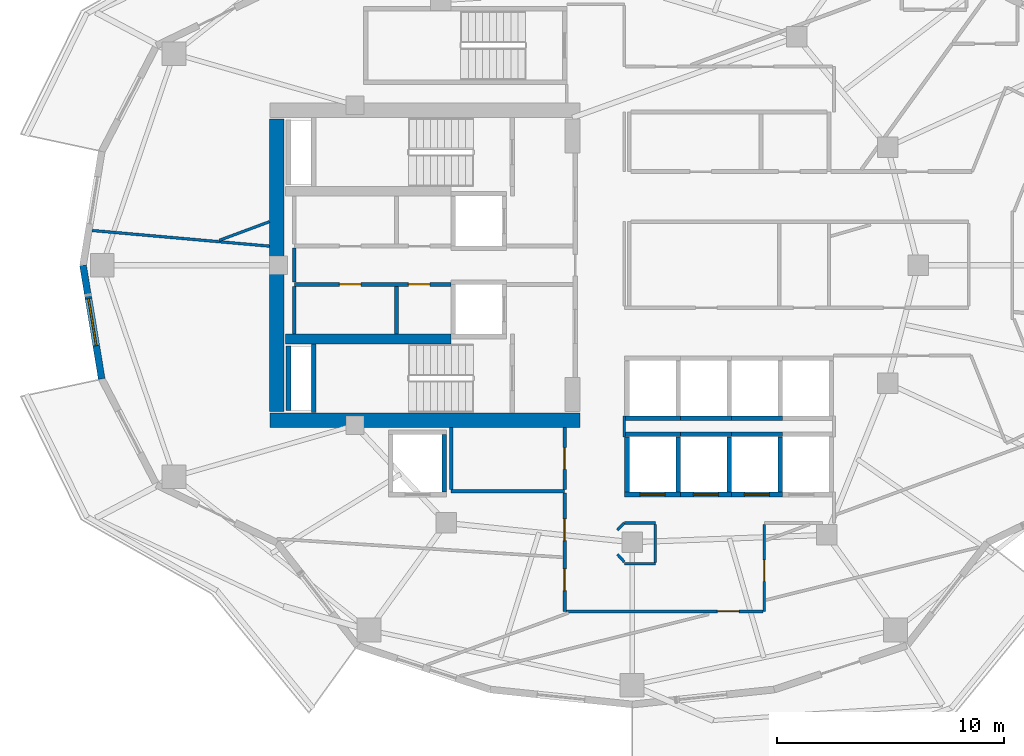
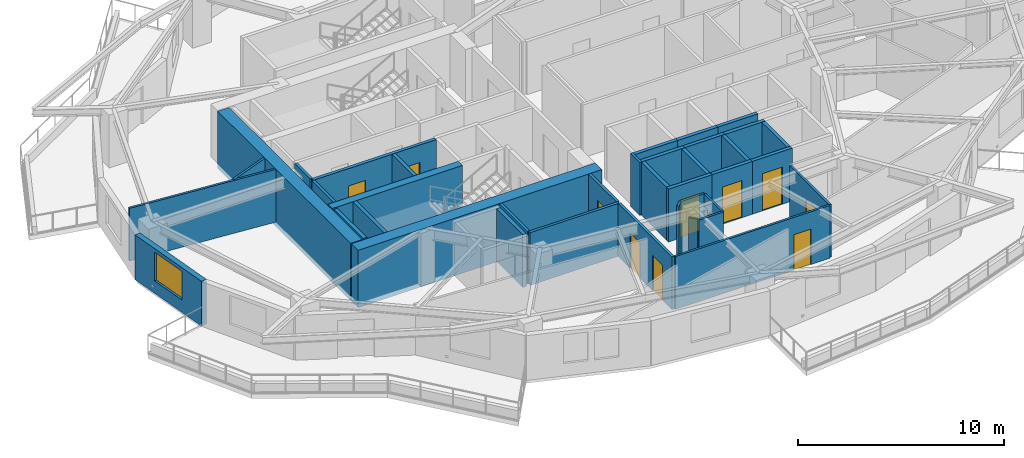
# One storey, part 3 of 14: 38 walls, 10 doors, 1 window, 11 openings.
"""IFC4 building model written with IfcOpenShell, lengths in metres."""

from ifc_helpers import new_model, si_unit, direction, frame, frame_2d, origin, place, context, subcontext, project, spatial, rectangle, extrude, material, layer, layer_set, type_object, element, fill, save


model = new_model("IFC4")

# Units and contexts
model_context = context("Model", 3, precision=1e-05, world=origin(), true_north=direction((0.0, 1.0)))
body_context = subcontext(model_context, "Body", "Model", "MODEL_VIEW")
ifc_project = project(units=[si_unit("LENGTHUNIT", "METRE"), si_unit("AREAUNIT", "SQUARE_METRE"), si_unit("VOLUMEUNIT", "CUBIC_METRE"), si_unit("PLANEANGLEUNIT", "RADIAN"), si_unit("MASSUNIT", "GRAM", prefix="KILO")], contexts=[model_context])

# Site, building, storey
site_placement = place(None, origin())
site = spatial("IfcSite", under=ifc_project, at=site_placement, CompositionType="ELEMENT")
building_placement = place(site_placement, origin())
building = spatial("IfcBuilding", under=site, at=building_placement, Name="Kolvaren Gate Tower and Convention Centre", CompositionType="ELEMENT")
storey_placement = place(building_placement, frame((0.0, 0.0, 132.5)))
storey = spatial("IfcBuildingStorey", under=building, at=storey_placement, Name="L33", CompositionType="ELEMENT", Elevation=132.5)

# Wall, openings, doors
ifc_material_1 = material(Name="Autoclaved Aerated Masonry Blockwork Class 4 (4.0 MPa)", Category="masonry")
ifc_layer_1 = layer(ifc_material_1, 0.179931640625)
ifc_layer_set_1 = layer_set([ifc_layer_1], Name="Autoclaved Aerated Masonry Blockwork Class 4 (4.0 MPa)")
wall_type_1 = type_object("IfcWallType", Name="ARCH-WL-COMP-180", PredefinedType="SOLIDWALL", material=ifc_layer_set_1)
wall_1_placement = place(storey_placement, frame((15.25, 26.159912109375, 0.0), z_axis=(0.0, 0.0, 1.0), x_axis=(1.0, 0.0, 0.0)))
wall_1 = element("IfcWall", 1, at=wall_1_placement, inside=storey, type_object=wall_type_1, Name="Interior Partition WL-L33-INT-005", PredefinedType="SOLIDWALL", context=body_context, shape_type="SweptSolid", body=[
    extrude(rectangle(XDim=6.89990234375, YDim=0.179931640625, at=frame_2d((3.449951171875, 0.0))), origin(), (0.0, 0.0, 1.0), 3.1298828125),
])
opening_1_placement = place(wall_1_placement, frame((5.02001953125, 0.0, 0.0)))
opening_1 = element("IfcOpeningElement", 2, at=opening_1_placement, cuts=wall_1, Name="Opening DR-01", PredefinedType="OPENING", context=body_context, shape_type="SweptSolid", body=[
    extrude(rectangle(XDim=0.949951171875, YDim=2.10009765625, at=frame_2d((0.47509765625, 1.050048828125))), frame((0.0, 0.099853515625, 0.0), z_axis=(0.0, -1.0, 0.0), x_axis=(1.0, 0.0, 0.0)), (0.0, 0.0, 1.0), 0.199951171875),
])
opening_2_placement = place(wall_1_placement, frame((1.97998046875, 0.0, 0.0)))
opening_2 = element("IfcOpeningElement", 3, at=opening_2_placement, cuts=wall_1, Name="Opening DR-01", PredefinedType="OPENING", context=body_context, shape_type="SweptSolid", body=[
    extrude(rectangle(XDim=0.949951171875, YDim=2.10009765625, at=frame_2d((0.47509765625, 1.050048828125))), frame((0.0, 0.099853515625, 0.0), z_axis=(0.0, -1.0, 0.0), x_axis=(1.0, 0.0, 0.0)), (0.0, 0.0, 1.0), 0.199951171875),
])
ifc_material_2 = material(Name="Painted Architectural Steelwork ASTM A500 Grade C 345 MPa", Category="steel")
door_type_1 = type_object("IfcDoorType", Name="ARCH-DR-RISER-950", OperationType="SINGLE_SWING_RIGHT", PredefinedType="DOOR", material=ifc_material_2)
door_1_placement = place(opening_1_placement, origin())
door_1 = element("IfcDoor", 4, at=door_1_placement, inside=storey, type_object=door_type_1, Name="Domestic Water Meter Closet Door", OperationType="SINGLE_SWING_LEFT", OverallHeight=2.10009765625, OverallWidth=0.949951171875, PredefinedType="DOOR", context=body_context, shape_type="SweptSolid", body=[
    extrude(rectangle(XDim=0.949951171875, YDim=2.10009765625, at=frame_2d((0.47509765625, 1.050048828125))), frame((0.0, 0.02490234375, 0.0), z_axis=(0.0, -1.0, 0.0), x_axis=(1.0, 0.0, 0.0)), (0.0, 0.0, 1.0), 0.050048828125),
])
fill(opening_1, door_1)
door_2_placement = place(opening_2_placement, origin())
door_2 = element("IfcDoor", 5, at=door_2_placement, inside=storey, type_object=door_type_1, Name="Janitor Equipment Store Door", OperationType="SINGLE_SWING_LEFT", OverallHeight=2.10009765625, OverallWidth=0.949951171875, PredefinedType="DOOR", context=body_context, shape_type="SweptSolid", body=[
    extrude(rectangle(XDim=0.949951171875, YDim=2.10009765625, at=frame_2d((0.47509765625, 1.050048828125))), frame((0.0, 0.02490234375, 0.0), z_axis=(0.0, -1.0, 0.0), x_axis=(1.0, 0.0, 0.0)), (0.0, 0.0, 1.0), 0.050048828125),
])
fill(opening_2, door_2)

# Walls
wall_2_placement = place(storey_placement, frame((19.75, 23.9619140625, 0.0), z_axis=(0.0, 0.0, 1.0), x_axis=(0.0, 1.0, 0.0)))
element("IfcWall", 6, at=wall_2_placement, inside=storey, type_object=wall_type_1, Name="Interior Partition WL-L33-INT-007", PredefinedType="SOLIDWALL", context=body_context, shape_type="SweptSolid", body=[
    extrude(rectangle(XDim=2.106201171875, YDim=0.179931640625, at=frame_2d((1.05322265625, 0.0))), origin(), (0.0, 0.0, 1.0), 3.1298828125),
])
ifc_material_3 = material(Name="Fire-Rated Acoustic Gypsum Stud Partition", Category="gypsum")
ifc_layer_2 = layer(ifc_material_3, 0.1201171875)
ifc_layer_set_2 = layer_set([ifc_layer_2], Name="Fire-Rated Acoustic Gypsum Stud Partition")
wall_type_2 = type_object("IfcWallType", Name="ARCH-WL-PART-120", PredefinedType="PARTITIONING", material=ifc_layer_set_2)
wall_3_placement = place(storey_placement, frame((29.780029296875, 15.64990234375, 0.0), z_axis=(0.0, 0.0, 1.0), x_axis=(1.0, 0.0, 0.0)))
element("IfcWall", 7, at=wall_3_placement, inside=storey, type_object=wall_type_2, Name="Interior Partition WL-L33-INT-024", PredefinedType="PARTITIONING", context=body_context, shape_type="SweptSolid", body=[
    extrude(rectangle(XDim=1.369873046875, YDim=0.1201171875, at=frame_2d((0.68505859375, 0.0))), origin(), (0.0, 0.0, 1.0), 3.1298828125),
])

# Wall, opening, door
wall_4_placement = place(storey_placement, frame((35.949951171875, 11.75, 0.0), z_axis=(0.0, 0.0, 1.0), x_axis=(0.0, 1.0, 0.0)))
wall_4 = element("IfcWall", 8, at=wall_4_placement, inside=storey, type_object=wall_type_2, Name="Interior Partition WL-L33-INT-026", PredefinedType="PARTITIONING", context=body_context, shape_type="SweptSolid", body=[
    extrude(rectangle(XDim=3.837890625, YDim=0.1201171875, at=frame_2d((1.9189453125, 0.0))), origin(), (0.0, 0.0, 1.0), 3.1298828125),
])
opening_3_placement = place(wall_4_placement, frame((1.32275390625, 0.0, 0.0)))
opening_3 = element("IfcOpeningElement", 9, at=opening_3_placement, cuts=wall_4, Name="Opening DR-01", PredefinedType="OPENING", context=body_context, shape_type="SweptSolid", body=[
    extrude(rectangle(XDim=0.949951171875, YDim=2.10009765625, at=frame_2d((0.47509765625, 1.050048828125))), frame((0.0, 0.070068359375, 0.0), z_axis=(0.0, -1.0, 0.0), x_axis=(1.0, 0.0, 0.0)), (0.0, 0.0, 1.0), 0.14013671875),
])
door_3_placement = place(opening_3_placement, origin())
door_3 = element("IfcDoor", 10, at=door_3_placement, inside=storey, type_object=door_type_1, Name="Wellness Sauna and Yoga Clubroom Door", OperationType="SINGLE_SWING_RIGHT", OverallHeight=2.10009765625, OverallWidth=0.949951171875, PredefinedType="DOOR", context=body_context, shape_type="SweptSolid", body=[
    extrude(rectangle(XDim=0.949951171875, YDim=2.10009765625, at=frame_2d((0.47509765625, 1.050048828125))), frame((0.0, 0.02490234375, 0.0), z_axis=(0.0, -1.0, 0.0), x_axis=(1.0, 0.0, 0.0)), (0.0, 0.0, 1.0), 0.050048828125),
])
fill(opening_3, door_3)

wall_5_placement = place(storey_placement, frame((27.22705078125, 11.75, 0.0), z_axis=(0.0, 0.0, 1.0), x_axis=(1.0, 0.0, 0.0)))
wall_5 = element("IfcWall", 11, at=wall_5_placement, inside=storey, type_object=wall_type_2, Name="Interior Partition WL-L33-INT-027", PredefinedType="PARTITIONING", context=body_context, shape_type="SweptSolid", body=[
    extrude(rectangle(XDim=8.660888671875, YDim=0.1201171875, at=frame_2d((4.33056640625, 0.0))), origin(), (0.0, 0.0, 1.0), 3.1298828125),
])
opening_4_placement = place(wall_5_placement, frame((6.65869140625, 0.0, 0.0)))
opening_4 = element("IfcOpeningElement", 12, at=opening_4_placement, cuts=wall_5, Name="Opening DR-01", PredefinedType="OPENING", context=body_context, shape_type="SweptSolid", body=[
    extrude(rectangle(XDim=0.949951171875, YDim=2.10009765625, at=frame_2d((0.47509765625, 1.050048828125))), frame((0.0, 0.070068359375, 0.0), z_axis=(0.0, -1.0, 0.0), x_axis=(1.0, 0.0, 0.0)), (0.0, 0.0, 1.0), 0.14013671875),
])
door_4_placement = place(opening_4_placement, origin())
door_4 = element("IfcDoor", 13, at=door_4_placement, inside=storey, type_object=door_type_1, Name="Wellness Sauna and Yoga Clubroom Door", OperationType="SINGLE_SWING_LEFT", OverallHeight=2.10009765625, OverallWidth=0.949951171875, PredefinedType="DOOR", context=body_context, shape_type="SweptSolid", body=[
    extrude(rectangle(XDim=0.949951171875, YDim=2.10009765625, at=frame_2d((0.47509765625, 1.050048828125))), frame((0.0, 0.02490234375, 0.0), z_axis=(0.0, -1.0, 0.0), x_axis=(1.0, 0.0, 0.0)), (0.0, 0.0, 1.0), 0.050048828125),
])
fill(opening_4, door_4)

# Walls
wall_6_placement = place(storey_placement, frame((29.780029296875, 19.43994140625, 0.0), z_axis=(0.0, 0.0, 1.0), x_axis=(0.0, 1.0, 0.0)))
element("IfcWall", 14, at=wall_6_placement, inside=storey, type_object=wall_type_2, Name="Interior Partition WL-L33-INT-030", PredefinedType="PARTITIONING", context=body_context, shape_type="SweptSolid", body=[
    extrude(rectangle(XDim=0.920166015625, YDim=0.1201171875, at=frame_2d((0.4599609375, 0.0))), origin(), (0.0, 0.0, 1.0), 3.1298828125),
])
wall_7_placement = place(storey_placement, frame((29.47607421875, 15.3330078125, 0.0), z_axis=(0.0, 0.0, 1.0), x_axis=(0.692219273951, 0.721687243043, 0.0)))
element("IfcWall", 15, at=wall_7_placement, inside=storey, type_object=wall_type_2, Name="Interior Partition WL-L33-INT-044", PredefinedType="PARTITIONING", context=body_context, shape_type="SweptSolid", body=[
    extrude(rectangle(XDim=0.439208984375, YDim=0.1201171875, at=frame_2d((0.2197265625, 0.0))), origin(), (0.0, 0.0, 1.0), 3.1298828125),
])
wall_8_placement = place(storey_placement, frame((29.47607421875, 14.26708984375, 0.0), z_axis=(0.0, 0.0, 1.0), x_axis=(0.670659392016, -0.741765448037, 0.0)))
element("IfcWall", 16, at=wall_8_placement, inside=storey, type_object=wall_type_2, Name="Interior Partition WL-L33-INT-045", PredefinedType="PARTITIONING", context=body_context, shape_type="SweptSolid", body=[
    extrude(rectangle(XDim=0.453125, YDim=0.1201171875, at=frame_2d((0.2265625, 0.0))), origin(), (0.0, 0.0, 1.0), 3.1298828125),
])
wall_9_placement = place(storey_placement, frame((29.780029296875, 13.85009765625, 0.0), z_axis=(0.0, 0.0, 1.0), x_axis=(1.0, 0.0, 0.0)))
element("IfcWall", 17, at=wall_9_placement, inside=storey, type_object=wall_type_2, Name="Interior Partition WL-L33-INT-046", PredefinedType="PARTITIONING", context=body_context, shape_type="SweptSolid", body=[
    extrude(rectangle(XDim=1.369873046875, YDim=0.1201171875, at=frame_2d((0.68505859375, 0.0))), origin(), (0.0, 0.0, 1.0), 3.1298828125),
])
wall_10_placement = place(storey_placement, frame((31.14990234375, 13.912109375, 0.0), z_axis=(0.0, 0.0, 1.0), x_axis=(0.0, 1.0, 0.0)))
element("IfcWall", 18, at=wall_10_placement, inside=storey, type_object=wall_type_2, Name="Interior Partition WL-L33-INT-047", PredefinedType="PARTITIONING", context=body_context, shape_type="SweptSolid", body=[
    extrude(rectangle(XDim=1.67578125, YDim=0.1201171875, at=frame_2d((0.837890625, 0.0))), origin(), (0.0, 0.0, 1.0), 3.1298828125),
])
wall_11_placement = place(storey_placement, frame((6.34326171875, 28.529541015625, 0.0), z_axis=(0.0, 0.0, 1.0), x_axis=(0.996118126143, -0.088026579903, 0.0)))
element("IfcWall", 19, at=wall_11_placement, inside=storey, type_object=wall_type_2, Name="Interior Partition WL-L33-INT-048", PredefinedType="PARTITIONING", context=body_context, shape_type="SweptSolid", body=[
    extrude(rectangle(XDim=7.835205078125, YDim=0.1201171875, at=frame_2d((3.91748046875, 0.0))), origin(), (0.0, 0.0, 1.0), 3.1298828125),
])
wall_12_placement = place(storey_placement, frame((11.943115234375, 28.096923828125, 0.0), z_axis=(0.0, 0.0, 1.0), x_axis=(0.937403974444, 0.348243863831, 0.0)))
element("IfcWall", 20, at=wall_12_placement, inside=storey, type_object=wall_type_2, Name="Interior Partition WL-L33-INT-067", PredefinedType="PARTITIONING", context=body_context, shape_type="SweptSolid", body=[
    extrude(rectangle(XDim=2.35205078125, YDim=0.1201171875, at=frame_2d((1.176025390625, 0.0))), origin(), (0.0, 0.0, 1.0), 3.1298828125),
])
ifc_layer_3 = layer(ifc_material_1, 0.199951171875)
ifc_layer_set_3 = layer_set([ifc_layer_3], Name="Autoclaved Aerated Masonry Blockwork Class 4 (4.0 MPa)")
wall_type_3 = type_object("IfcWallType", Name="ARCH-WL-SHAFT-200", PredefinedType="SOLIDWALL", material=ifc_layer_set_3)
wall_13_placement = place(storey_placement, frame((21.85009765625, 17.010009765625, 0.0), z_axis=(0.0, 0.0, 1.0), x_axis=(0.0, 1.0, 0.0)))
element("IfcWall", 21, at=wall_13_placement, inside=storey, type_object=wall_type_3, Name="Elevator SV-01 L33 Fire Shaft Wall E", PredefinedType="SOLIDWALL", context=body_context, shape_type="SweptSolid", body=[
    extrude(rectangle(XDim=2.530029296875, YDim=0.199951171875, at=frame_2d((1.26513671875, 0.0))), origin(), (0.0, 0.0, 1.0), 3.1298828125),
])
wall_14_placement = place(storey_placement, frame((29.800048828125, 19.550048828125, 0.0), z_axis=(0.0, 0.0, 1.0), x_axis=(1.0, 0.0, 0.0)))
element("IfcWall", 22, at=wall_14_placement, inside=storey, type_object=wall_type_3, Name="Elevator PL-05 L33 Fire Shaft Wall N", PredefinedType="SOLIDWALL", context=body_context, shape_type="SweptSolid", body=[
    extrude(rectangle(XDim=2.449951171875, YDim=0.199951171875, at=frame_2d((1.22509765625, 0.0))), origin(), (0.0, 0.0, 1.0), 3.1298828125),
])

# Wall, opening, door
wall_15_placement = place(storey_placement, frame((29.800048828125, 16.89990234375, 0.0), z_axis=(0.0, 0.0, 1.0), x_axis=(1.0, 0.0, 0.0)))
wall_15 = element("IfcWall", 23, at=wall_15_placement, inside=storey, type_object=wall_type_3, Name="Elevator PL-05 L33 Fire Shaft Wall S", PredefinedType="SOLIDWALL", context=body_context, shape_type="SweptSolid", body=[
    extrude(rectangle(XDim=2.449951171875, YDim=0.199951171875, at=frame_2d((1.22509765625, 0.0))), origin(), (0.0, 0.0, 1.0), 3.1298828125),
])
opening_5_placement = place(wall_15_placement, frame((0.675048828125, 0.0, 0.0)))
opening_5 = element("IfcOpeningElement", 24, at=opening_5_placement, cuts=wall_15, Name="Opening LD", PredefinedType="OPENING", context=body_context, shape_type="SweptSolid", body=[
    extrude(rectangle(XDim=1.10009765625, YDim=2.199951171875, at=frame_2d((0.550048828125, 1.10009765625))), frame((0.0, 0.10986328125, 0.0), z_axis=(0.0, -1.0, 0.0), x_axis=(1.0, 0.0, 0.0)), (0.0, 0.0, 1.0), 0.219970703125),
])
ifc_material_4 = material(Name="Brushed Stainless Steel Grade 316L", Category="steel")
door_type_2 = type_object("IfcDoorType", Name="ARCH-DR-LIFT-1100", OperationType="SLIDING_TO_LEFT", PredefinedType="DOOR", material=ifc_material_4)
door_5_placement = place(opening_5_placement, origin())
door_5 = element("IfcDoor", 25, at=door_5_placement, inside=storey, type_object=door_type_2, Name="Elevator PL-05 L33 Sliding Landing Door", OperationType="SLIDING_TO_LEFT", OverallHeight=2.199951171875, OverallWidth=1.10009765625, PredefinedType="DOOR", context=body_context, shape_type="SweptSolid", body=[
    extrude(rectangle(XDim=1.10009765625, YDim=2.199951171875, at=frame_2d((0.550048828125, 1.10009765625))), frame((0.0, 0.02490234375, 0.0), z_axis=(0.0, -1.0, 0.0), x_axis=(1.0, 0.0, 0.0)), (0.0, 0.0, 1.0), 0.050048828125),
])
fill(opening_5, door_5)

# Walls
for number, where, z_axis, x_axis, name in (
    (26, (29.89990234375, 17.010009765625, 0.0), (0.0, 0.0, 1.0), (0.0, 1.0, 0.0), "Elevator PL-05 L33 Fire Shaft Wall W"),
    (27, (32.14990234375, 17.010009765625, 0.0), (0.0, 0.0, 1.0), (0.0, 1.0, 0.0), "Elevator PL-05 L33 Fire Shaft Wall E"),
):
    element("IfcWall", number, at=place(storey_placement, frame(where, z_axis=z_axis, x_axis=x_axis)), inside=storey, type_object=wall_type_3, Name=name, PredefinedType="SOLIDWALL", context=body_context, shape_type="SweptSolid", body=[
        extrude(rectangle(XDim=2.429931640625, YDim=0.199951171875, at=frame_2d((1.21484375, 0.0))), origin(), (0.0, 0.0, 1.0), 3.1298828125),
    ])
wall_16_placement = place(storey_placement, frame((32.25, 19.550048828125, 0.0), z_axis=(0.0, 0.0, 1.0), x_axis=(1.0, 0.0, 0.0)))
element("IfcWall", 28, at=wall_16_placement, inside=storey, type_object=wall_type_3, Name="Elevator PL-06 L33 Fire Shaft Wall N", PredefinedType="SOLIDWALL", context=body_context, shape_type="SweptSolid", body=[
    extrude(rectangle(XDim=2.25, YDim=0.199951171875, at=frame_2d((1.125, 0.0))), origin(), (0.0, 0.0, 1.0), 3.1298828125),
])

# Wall, opening, door
wall_17_placement = place(storey_placement, frame((32.25, 16.89990234375, 0.0), z_axis=(0.0, 0.0, 1.0), x_axis=(1.0, 0.0, 0.0)))
wall_17 = element("IfcWall", 29, at=wall_17_placement, inside=storey, type_object=wall_type_3, Name="Elevator PL-06 L33 Fire Shaft Wall S", PredefinedType="SOLIDWALL", context=body_context, shape_type="SweptSolid", body=[
    extrude(rectangle(XDim=2.25, YDim=0.199951171875, at=frame_2d((1.125, 0.0))), origin(), (0.0, 0.0, 1.0), 3.1298828125),
])
opening_6_placement = place(wall_17_placement, frame((0.574951171875, 0.0, 0.0)))
opening_6 = element("IfcOpeningElement", 30, at=opening_6_placement, cuts=wall_17, Name="Opening LD", PredefinedType="OPENING", context=body_context, shape_type="SweptSolid", body=[
    extrude(rectangle(XDim=1.10009765625, YDim=2.199951171875, at=frame_2d((0.550048828125, 1.10009765625))), frame((0.0, 0.10986328125, 0.0), z_axis=(0.0, -1.0, 0.0), x_axis=(1.0, 0.0, 0.0)), (0.0, 0.0, 1.0), 0.219970703125),
])
door_6_placement = place(opening_6_placement, origin())
door_6 = element("IfcDoor", 31, at=door_6_placement, inside=storey, type_object=door_type_2, Name="Elevator PL-06 L33 Sliding Landing Door", OperationType="SLIDING_TO_LEFT", OverallHeight=2.199951171875, OverallWidth=1.10009765625, PredefinedType="DOOR", context=body_context, shape_type="SweptSolid", body=[
    extrude(rectangle(XDim=1.10009765625, YDim=2.199951171875, at=frame_2d((0.550048828125, 1.10009765625))), frame((0.0, 0.02490234375, 0.0), z_axis=(0.0, -1.0, 0.0), x_axis=(1.0, 0.0, 0.0)), (0.0, 0.0, 1.0), 0.050048828125),
])
fill(opening_6, door_6)

# Walls
wall_18_placement = place(storey_placement, frame((34.39990234375, 17.010009765625, 0.0), z_axis=(0.0, 0.0, 1.0), x_axis=(0.0, 1.0, 0.0)))
element("IfcWall", 32, at=wall_18_placement, inside=storey, type_object=wall_type_3, Name="Elevator PL-06 L33 Fire Shaft Wall E", PredefinedType="SOLIDWALL", context=body_context, shape_type="SweptSolid", body=[
    extrude(rectangle(XDim=2.429931640625, YDim=0.199951171875, at=frame_2d((1.21484375, 0.0))), origin(), (0.0, 0.0, 1.0), 3.1298828125),
])
wall_19_placement = place(storey_placement, frame((34.5, 19.550048828125, 0.0), z_axis=(0.0, 0.0, 1.0), x_axis=(1.0, 0.0, 0.0)))
element("IfcWall", 33, at=wall_19_placement, inside=storey, type_object=wall_type_3, Name="Elevator PL-07 L33 Fire Shaft Wall N", PredefinedType="SOLIDWALL", context=body_context, shape_type="SweptSolid", body=[
    extrude(rectangle(XDim=2.25, YDim=0.199951171875, at=frame_2d((1.125, 0.0))), origin(), (0.0, 0.0, 1.0), 3.1298828125),
])

# Wall, opening, door
wall_20_placement = place(storey_placement, frame((34.5, 16.89990234375, 0.0), z_axis=(0.0, 0.0, 1.0), x_axis=(1.0, 0.0, 0.0)))
wall_20 = element("IfcWall", 34, at=wall_20_placement, inside=storey, type_object=wall_type_3, Name="Elevator PL-07 L33 Fire Shaft Wall S", PredefinedType="SOLIDWALL", context=body_context, shape_type="SweptSolid", body=[
    extrude(rectangle(XDim=2.25, YDim=0.199951171875, at=frame_2d((1.125, 0.0))), origin(), (0.0, 0.0, 1.0), 3.1298828125),
])
opening_7_placement = place(wall_20_placement, frame((0.574951171875, 0.0, 0.0)))
opening_7 = element("IfcOpeningElement", 35, at=opening_7_placement, cuts=wall_20, Name="Opening LD", PredefinedType="OPENING", context=body_context, shape_type="SweptSolid", body=[
    extrude(rectangle(XDim=1.10009765625, YDim=2.199951171875, at=frame_2d((0.550048828125, 1.10009765625))), frame((0.0, 0.10986328125, 0.0), z_axis=(0.0, -1.0, 0.0), x_axis=(1.0, 0.0, 0.0)), (0.0, 0.0, 1.0), 0.219970703125),
])
door_7_placement = place(opening_7_placement, origin())
door_7 = element("IfcDoor", 36, at=door_7_placement, inside=storey, type_object=door_type_2, Name="Elevator PL-07 L33 Sliding Landing Door", OperationType="SLIDING_TO_LEFT", OverallHeight=2.199951171875, OverallWidth=1.10009765625, PredefinedType="DOOR", context=body_context, shape_type="SweptSolid", body=[
    extrude(rectangle(XDim=1.10009765625, YDim=2.199951171875, at=frame_2d((0.550048828125, 1.10009765625))), frame((0.0, 0.02490234375, 0.0), z_axis=(0.0, -1.0, 0.0), x_axis=(1.0, 0.0, 0.0)), (0.0, 0.0, 1.0), 0.050048828125),
])
fill(opening_7, door_7)

# Walls
wall_21_placement = place(storey_placement, frame((36.64990234375, 17.010009765625, 0.0), z_axis=(0.0, 0.0, 1.0), x_axis=(0.0, 1.0, 0.0)))
element("IfcWall", 37, at=wall_21_placement, inside=storey, type_object=wall_type_3, Name="Elevator PL-07 L33 Fire Shaft Wall E", PredefinedType="SOLIDWALL", context=body_context, shape_type="SweptSolid", body=[
    extrude(rectangle(XDim=2.429931640625, YDim=0.199951171875, at=frame_2d((1.21484375, 0.0))), origin(), (0.0, 0.0, 1.0), 3.1298828125),
])
wall_22_placement = place(storey_placement, frame((29.800048828125, 20.25, 0.0), z_axis=(0.0, 0.0, 1.0), x_axis=(1.0, 0.0, 0.0)))
element("IfcWall", 38, at=wall_22_placement, inside=storey, type_object=wall_type_3, Name="Elevator PL-09 L33 Fire Shaft Wall S", PredefinedType="SOLIDWALL", context=body_context, shape_type="SweptSolid", body=[
    extrude(rectangle(XDim=2.449951171875, YDim=0.199951171875, at=frame_2d((1.22509765625, 0.0))), origin(), (0.0, 0.0, 1.0), 3.1298828125),
])
for number, where, z_axis, x_axis, name in (
    (39, (32.25, 20.25, 0.0), (0.0, 0.0, 1.0), (1.0, 0.0, 0.0), "Elevator PL-10 L33 Fire Shaft Wall S"),
    (40, (34.5, 20.25, 0.0), (0.0, 0.0, 1.0), (1.0, 0.0, 0.0), "Elevator PL-11 L33 Fire Shaft Wall S"),
):
    element("IfcWall", number, at=place(storey_placement, frame(where, z_axis=z_axis, x_axis=x_axis)), inside=storey, type_object=wall_type_3, Name=name, PredefinedType="SOLIDWALL", context=body_context, shape_type="SweptSolid", body=[
        extrude(rectangle(XDim=2.25, YDim=0.199951171875, at=frame_2d((1.125, 0.0))), origin(), (0.0, 0.0, 1.0), 3.1298828125),
    ])
wall_23_placement = place(storey_placement, frame((14.989990234375, 20.60009765625, 0.0), z_axis=(0.0, 0.0, 1.0), x_axis=(0.0, 1.0, 0.0)))
element("IfcWall", 41, at=wall_23_placement, inside=storey, type_object=wall_type_3, Name="Vertical Shaft MPR L33 EI-120 Enclosure Wall W", PredefinedType="SOLIDWALL", context=body_context, shape_type="SweptSolid", body=[
    extrude(rectangle(XDim=2.849853515625, YDim=0.199951171875, at=frame_2d((1.4248046875, 0.0))), origin(), (0.0, 0.0, 1.0), 3.1298828125),
])

# Wall, opening, window
ifc_material_5 = material(Name="Piedmont Cream Honed Limestone Cladding", Category="masonry")
ifc_layer_4 = layer(ifc_material_5, 0.300048828125)
ifc_layer_set_4 = layer_set([ifc_layer_4], Name="Piedmont Cream Honed Limestone Cladding")
wall_type_4 = type_object("IfcWallType", Name="ARCH-WL-STONE-300", PredefinedType="SOLIDWALL", material=ifc_layer_set_4)
wall_24_placement = place(storey_placement, frame((5.9375, 27.0, 0.0), z_axis=(0.0, 0.0, 1.0), x_axis=(0.162393944769, -0.986726003864, 0.0)))
wall_24 = element("IfcWall", 42, at=wall_24_placement, inside=storey, type_object=wall_type_4, Name="Tower L33 Honed Stone Spandrel Wall EW-12", PredefinedType="SOLIDWALL", context=body_context, shape_type="SweptSolid", body=[
    extrude(rectangle(XDim=5.075439453125, YDim=0.300048828125, at=frame_2d((2.53759765625, 0.0))), origin(), (0.0, 0.0, 1.0), 2.653076171875),
])
opening_8_placement = place(wall_24_placement, frame((1.488037109375, 0.0, 0.739990234375)))
opening_8 = element("IfcOpeningElement", 43, at=opening_8_placement, cuts=wall_24, Name="Opening W-02", PredefinedType="OPENING", context=body_context, shape_type="SweptSolid", body=[
    extrude(rectangle(XDim=2.10009765625, YDim=1.699951171875, at=frame_2d((1.050048828125, 0.85009765625))), frame((0.0, 0.159912109375, 0.0), z_axis=(0.0, -1.0, 0.0), x_axis=(1.0, 0.0, 0.0)), (0.0, 0.0, 1.0), 0.320068359375),
])
ifc_material_6 = material(Name="Low-E Triple Insulated Glazing Unit 44 mm", Category="glass")
window_type = type_object("IfcWindowType", Name="ARCH-WN-HTL-2100", PartitioningType="SINGLE_PANEL", PredefinedType="WINDOW", material=ifc_material_6)
window_placement = place(opening_8_placement, origin())
window = element("IfcWindow", 44, at=window_placement, inside=storey, type_object=window_type, Name="Tower L33 Punched Stone Facade Window W-12", OverallHeight=1.699951171875, OverallWidth=2.10009765625, PartitioningType="SINGLE_PANEL", PredefinedType="WINDOW", context=body_context, shape_type="SweptSolid", body=[
    extrude(rectangle(XDim=2.10009765625, YDim=1.699951171875, at=frame_2d((1.050048828125, 0.85009765625))), frame((0.0, 0.030029296875, 0.0), z_axis=(0.0, -1.0, 0.0), x_axis=(1.0, 0.0, 0.0)), (0.0, 0.0, 1.0), 0.06005859375),
])
fill(opening_8, window)

# Walls
ifc_material_7 = material(Name="Moisture-Resistant Cement-Board Acoustic Partition", Category="gypsum")
ifc_layer_5 = layer(ifc_material_7, 0.14990234375)
ifc_layer_set_5 = layer_set([ifc_layer_5], Name="Moisture-Resistant Cement-Board Acoustic Partition")
wall_type_5 = type_object("IfcWallType", Name="ARCH-WL-WET-150", PredefinedType="PARTITIONING", material=ifc_layer_set_5)
wall_25_placement = place(storey_placement, frame((15.25, 23.9619140625, 0.0), z_axis=(0.0, 0.0, 1.0), x_axis=(0.0, 1.0, 0.0)))
element("IfcWall", 45, at=wall_25_placement, inside=storey, type_object=wall_type_5, Name="Interior Partition WL-L33-INT-006", PredefinedType="PARTITIONING", context=body_context, shape_type="SweptSolid", body=[
    extrude(rectangle(XDim=2.106201171875, YDim=0.14990234375, at=frame_2d((1.05322265625, 0.0))), origin(), (0.0, 0.0, 1.0), 3.1298828125),
])
wall_26_placement = place(storey_placement, frame((15.25, 26.251953125, 0.0), z_axis=(0.0, 0.0, 1.0), x_axis=(0.0, 1.0, 0.0)))
element("IfcWall", 46, at=wall_26_placement, inside=storey, type_object=wall_type_5, Name="Interior Partition WL-L33-INT-006 (2)", PredefinedType="PARTITIONING", context=body_context, shape_type="SweptSolid", body=[
    extrude(rectangle(XDim=1.49609375, YDim=0.14990234375, at=frame_2d((0.748046875, 0.0))), origin(), (0.0, 0.0, 1.0), 3.1298828125),
])
wall_27_placement = place(storey_placement, frame((22.14990234375, 17.050048828125, 0.0), z_axis=(0.0, 0.0, 1.0), x_axis=(1.0, 0.0, 0.0)))
element("IfcWall", 47, at=wall_27_placement, inside=storey, type_object=wall_type_5, Name="Interior Partition WL-L33-INT-009", PredefinedType="PARTITIONING", context=body_context, shape_type="SweptSolid", body=[
    extrude(rectangle(XDim=5.0, YDim=0.14990234375, at=frame_2d((2.5, 0.0))), origin(), (0.0, 0.0, 1.0), 3.1298828125),
])
wall_28_placement = place(storey_placement, frame((22.14990234375, 17.126953125, 0.0), z_axis=(0.0, 0.0, 1.0), x_axis=(0.0, 1.0, 0.0)))
element("IfcWall", 48, at=wall_28_placement, inside=storey, type_object=wall_type_5, Name="Interior Partition WL-L33-INT-010", PredefinedType="PARTITIONING", context=body_context, shape_type="SweptSolid", body=[
    extrude(rectangle(XDim=2.720947265625, YDim=0.14990234375, at=frame_2d((1.3603515625, 0.0))), origin(), (0.0, 0.0, 1.0), 3.1298828125),
])

# Wall, openings, doors
wall_29_placement = place(storey_placement, frame((27.14990234375, 11.75, 0.0), z_axis=(0.0, 0.0, 1.0), x_axis=(0.0, 1.0, 0.0)))
wall_29 = element("IfcWall", 49, at=wall_29_placement, inside=storey, type_object=wall_type_5, Name="Interior Partition WL-L33-INT-011", PredefinedType="PARTITIONING", context=body_context, shape_type="SweptSolid", body=[
    extrude(rectangle(XDim=5.222900390625, YDim=0.14990234375, at=frame_2d((2.611328125, 0.0))), origin(), (0.0, 0.0, 1.0), 3.1298828125),
])
opening_9_placement = place(wall_29_placement, frame((3.121337890625, 0.0, 0.0)))
opening_9 = element("IfcOpeningElement", 50, at=opening_9_placement, cuts=wall_29, Name="Opening DR-01", PredefinedType="OPENING", context=body_context, shape_type="SweptSolid", body=[
    extrude(rectangle(XDim=0.949951171875, YDim=2.10009765625, at=frame_2d((0.47509765625, 1.050048828125))), frame((0.0, 0.0849609375, 0.0), z_axis=(0.0, -1.0, 0.0), x_axis=(1.0, 0.0, 0.0)), (0.0, 0.0, 1.0), 0.169921875),
])
opening_10_placement = place(wall_29_placement, frame((0.920166015625, 0.0, 0.0)))
opening_10 = element("IfcOpeningElement", 51, at=opening_10_placement, cuts=wall_29, Name="Opening DR-01", PredefinedType="OPENING", context=body_context, shape_type="SweptSolid", body=[
    extrude(rectangle(XDim=0.949951171875, YDim=2.10009765625, at=frame_2d((0.47509765625, 1.050048828125))), frame((0.0, 0.0849609375, 0.0), z_axis=(0.0, -1.0, 0.0), x_axis=(1.0, 0.0, 0.0)), (0.0, 0.0, 1.0), 0.169921875),
])
door_8_placement = place(opening_9_placement, origin())
door_8 = element("IfcDoor", 52, at=door_8_placement, inside=storey, type_object=door_type_1, Name="Wellness Sauna and Yoga Clubroom Door", OperationType="SINGLE_SWING_LEFT", OverallHeight=2.10009765625, OverallWidth=0.949951171875, PredefinedType="DOOR", context=body_context, shape_type="SweptSolid", body=[
    extrude(rectangle(XDim=0.949951171875, YDim=2.10009765625, at=frame_2d((0.47509765625, 1.050048828125))), frame((0.0, 0.02490234375, 0.0), z_axis=(0.0, -1.0, 0.0), x_axis=(1.0, 0.0, 0.0)), (0.0, 0.0, 1.0), 0.050048828125),
])
fill(opening_9, door_8)
door_9_placement = place(opening_10_placement, origin())
door_9 = element("IfcDoor", 53, at=door_9_placement, inside=storey, type_object=door_type_1, Name="Wellness Sauna and Yoga Clubroom Door", OperationType="SINGLE_SWING_RIGHT", OverallHeight=2.10009765625, OverallWidth=0.949951171875, PredefinedType="DOOR", context=body_context, shape_type="SweptSolid", body=[
    extrude(rectangle(XDim=0.949951171875, YDim=2.10009765625, at=frame_2d((0.47509765625, 1.050048828125))), frame((0.0, 0.02490234375, 0.0), z_axis=(0.0, -1.0, 0.0), x_axis=(1.0, 0.0, 0.0)), (0.0, 0.0, 1.0), 0.050048828125),
])
fill(opening_10, door_9)

# Wall, opening, door
wall_30_placement = place(storey_placement, frame((27.14990234375, 17.126953125, 0.0), z_axis=(0.0, 0.0, 1.0), x_axis=(0.0, 1.0, 0.0)))
wall_30 = element("IfcWall", 54, at=wall_30_placement, inside=storey, type_object=wall_type_5, Name="Interior Partition WL-L33-INT-011 (2)", PredefinedType="PARTITIONING", context=body_context, shape_type="SweptSolid", body=[
    extrude(rectangle(XDim=2.720947265625, YDim=0.14990234375, at=frame_2d((1.3603515625, 0.0))), origin(), (0.0, 0.0, 1.0), 3.1298828125),
])
opening_11_placement = place(wall_30_placement, frame((0.885498046875, 0.0, 0.0)))
opening_11 = element("IfcOpeningElement", 55, at=opening_11_placement, cuts=wall_30, Name="Opening DR-01", PredefinedType="OPENING", context=body_context, shape_type="SweptSolid", body=[
    extrude(rectangle(XDim=0.949951171875, YDim=2.10009765625, at=frame_2d((0.47509765625, 1.050048828125))), frame((0.0, 0.0849609375, 0.0), z_axis=(0.0, -1.0, 0.0), x_axis=(1.0, 0.0, 0.0)), (0.0, 0.0, 1.0), 0.169921875),
])
door_10_placement = place(opening_11_placement, origin())
door_10 = element("IfcDoor", 56, at=door_10_placement, inside=storey, type_object=door_type_1, Name="West Linen and Supply Store Door", OperationType="SINGLE_SWING_RIGHT", OverallHeight=2.10009765625, OverallWidth=0.949951171875, PredefinedType="DOOR", context=body_context, shape_type="SweptSolid", body=[
    extrude(rectangle(XDim=0.949951171875, YDim=2.10009765625, at=frame_2d((0.47509765625, 1.050048828125))), frame((0.0, 0.02490234375, 0.0), z_axis=(0.0, -1.0, 0.0), x_axis=(1.0, 0.0, 0.0)), (0.0, 0.0, 1.0), 0.050048828125),
])
fill(opening_11, door_10)

# Walls
ifc_material_8 = material(Name="Concrete C50/60", Category="concrete")
ifc_layer_6 = layer(ifc_material_8, 0.419921875)
ifc_layer_set_6 = layer_set([ifc_layer_6], Name="Concrete C50/60")
wall_type_6 = type_object("IfcWallType", Name="STR-WL-CONV-420", PredefinedType="SHEAR", material=ifc_layer_set_6)
wall_31_placement = place(storey_placement, frame((14.85009765625, 23.75, -0.27001953125), z_axis=(0.0, 0.0, 1.0), x_axis=(1.0, 0.0, 0.0)))
element("IfcWall", 57, at=wall_31_placement, inside=storey, type_object=wall_type_6, Name="Tower L33 Offset Core Shear Wall WS", PredefinedType="SHEAR", context=body_context, shape_type="SweptSolid", body=[
    extrude(rectangle(XDim=7.2998046875, YDim=0.419921875, at=frame_2d((3.64990234375, 0.0))), origin(), (0.0, 0.0, 1.0), 3.39990234375),
])
ifc_material_9 = material(Name="Concrete C60/75", Category="concrete")
ifc_layer_7 = layer(ifc_material_9, 0.64990234375)
ifc_layer_set_7 = layer_set([ifc_layer_7], Name="Concrete C60/75")
wall_type_7 = type_object("IfcWallType", Name="STR-WL-CORE-650", PredefinedType="SHEAR", material=ifc_layer_set_7)
wall_32_placement = place(storey_placement, frame((14.175048828125, 20.175048828125, -0.27001953125), z_axis=(0.0, 0.0, 1.0), x_axis=(1.0, 0.0, 0.0)))
element("IfcWall", 58, at=wall_32_placement, inside=storey, type_object=wall_type_7, Name="Tower L33 Offset Core Shear Wall S", PredefinedType="SHEAR", context=body_context, shape_type="SweptSolid", body=[
    extrude(rectangle(XDim=13.64990234375, YDim=0.64990234375, at=frame_2d((6.824951171875, 0.0))), origin(), (0.0, 0.0, 1.0), 3.39990234375),
])
wall_33_placement = place(storey_placement, frame((14.47509765625, 20.550048828125, -0.27001953125), z_axis=(0.0, 0.0, 1.0), x_axis=(0.0, 1.0, 0.0)))
element("IfcWall", 59, at=wall_33_placement, inside=storey, type_object=wall_type_7, Name="Tower L33 Offset Core Shear Wall W", PredefinedType="SHEAR", context=body_context, shape_type="SweptSolid", body=[
    extrude(rectangle(XDim=12.89990234375, YDim=0.64990234375, at=frame_2d((6.449951171875, 0.0))), origin(), (0.0, 0.0, 1.0), 3.39990234375),
])
ifc_layer_8 = layer(ifc_material_8, 0.199951171875)
ifc_layer_set_8 = layer_set([ifc_layer_8], Name="Concrete C50/60")
wall_type_8 = type_object("IfcWallType", Name="STR-WL-SHAFT-200", PredefinedType="SHEAR", material=ifc_layer_set_8)
wall_34_placement = place(storey_placement, frame((16.10009765625, 20.501953125, -0.27001953125), z_axis=(0.0, 0.0, 1.0), x_axis=(0.0, 1.0, 0.0)))
element("IfcWall", 60, at=wall_34_placement, inside=storey, type_object=wall_type_8, Name="Tower South Exit Stair ST-T2 L33 Structural Shear Enclosure Wall FAR", PredefinedType="SHEAR", context=body_context, shape_type="SweptSolid", body=[
    extrude(rectangle(XDim=3.0361328125, YDim=0.199951171875, at=frame_2d((1.51806640625, 0.0))), origin(), (0.0, 0.0, 1.0), 3.39990234375),
])

save(model, "model.ifc")
